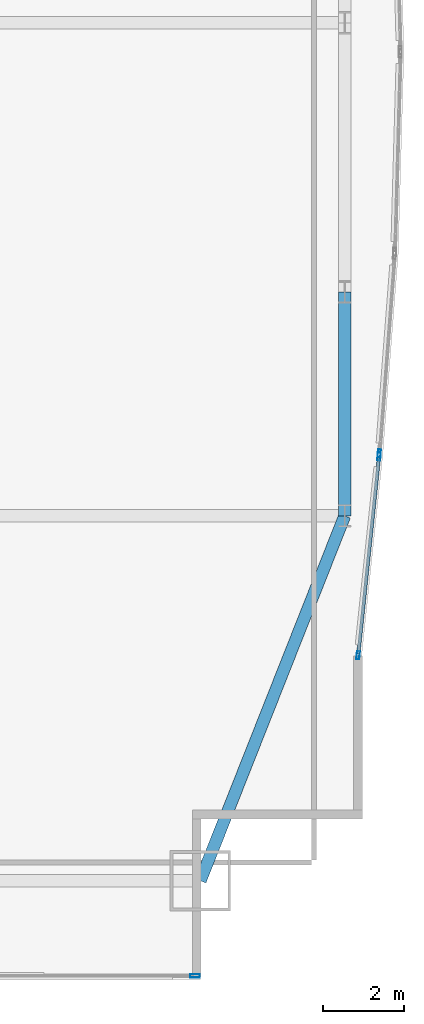
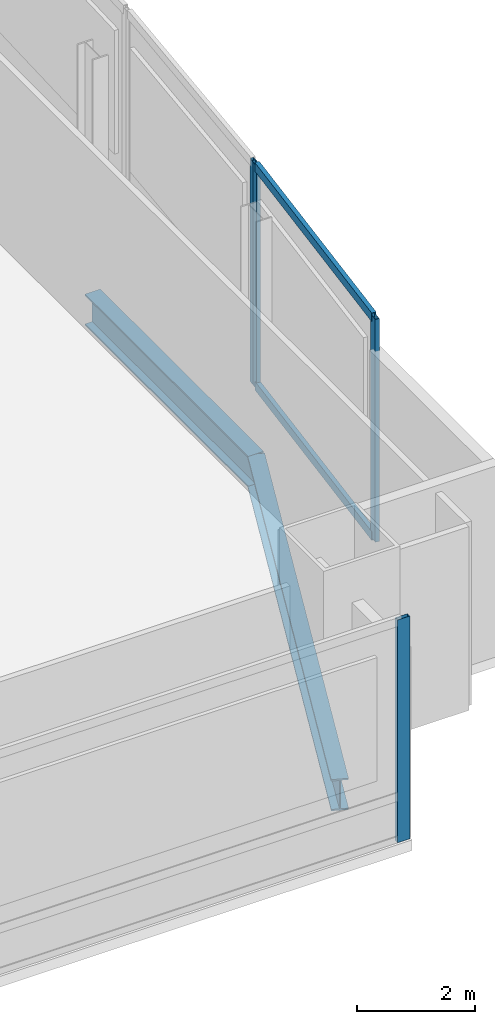
# One storey, part 21 of 32: 6 members, 2 beams, 3 elements without a shape of their own.
"""IFC4 building model written with IfcOpenShell, lengths in metres."""

from ifc_helpers import new_model, si_unit, direction, frame, origin, origin_2d, place, context, subcontext, project, spatial, hollow_rectangle, i_section, extrude, material, material_profile, profile_set, type_object, element, aggregate, save


model = new_model("IFC4")

# Units and contexts
model_context = context("Model", 3, precision=1e-05, world=origin(), true_north=direction((0.0, 1.0)))
body_context = subcontext(model_context, "Body", "Model", "MODEL_VIEW")
ifc_project = project(units=[si_unit("LENGTHUNIT", "METRE"), si_unit("AREAUNIT", "SQUARE_METRE"), si_unit("VOLUMEUNIT", "CUBIC_METRE"), si_unit("PLANEANGLEUNIT", "RADIAN"), si_unit("MASSUNIT", "GRAM", prefix="KILO")], contexts=[model_context])

# Site, building, storey
site_placement = place(None, origin())
site = spatial("IfcSite", under=ifc_project, at=site_placement, CompositionType="ELEMENT")
building_placement = place(site_placement, origin())
building = spatial("IfcBuilding", under=site, at=building_placement, Name="Khoronbel Lancet Exchange", CompositionType="ELEMENT")
storey_placement = place(building_placement, frame((0.0, 0.0, 85.800048828125)))
storey = spatial("IfcBuildingStorey", under=building, at=storey_placement, Name="L20", CompositionType="ELEMENT", Elevation=85.800048828125)

# Beams
ifc_material_1 = material(Name="Steel S355", Category="steel")
ifc_material_profile_1 = material_profile(ifc_material_1, i_section(OverallWidth=0.300048828125, OverallDepth=0.64990234375, WebThickness=0.01611328125, FlangeThickness=0.031005859375, at=origin_2d()), Name="HEB 650")
ifc_profile_set_1 = profile_set([ifc_material_profile_1], Name="Steel S355")
beam_type = type_object("IfcBeamType", Name="BM-BSP1", PredefinedType="SPANDREL", material=ifc_profile_set_1)
beam_1_placement = place(storey_placement, frame((66.050048828125, 10.14990234375, -0.545166015625), z_axis=(0.367828403855, 0.929893684954, 0.0), x_axis=(-0.929893684954, 0.367828403855, 0.0)))
element("IfcBeam", 1, at=beam_1_placement, inside=storey, type_object=beam_type, Name="Level L20 perimeter spandrel beam SP10", PredefinedType="SPANDREL", context=body_context, shape_type="SweptSolid", body=[
    extrude(i_section(OverallWidth=0.300048828125, OverallDepth=0.64990234375, WebThickness=0.01611328125, FlangeThickness=0.031005859375, at=origin_2d()), origin(), (0.0, 0.0, 1.0), 9.732421875),
])
beam_2_placement = place(storey_placement, frame((69.6298828125, 19.199951171875, -0.545166015625), z_axis=(0.0, 1.0, 0.0), x_axis=(-1.0, 0.0, 0.0)))
element("IfcBeam", 2, at=beam_2_placement, inside=storey, type_object=beam_type, Name="Level L20 perimeter spandrel beam SP11", PredefinedType="SPANDREL", context=body_context, shape_type="SweptSolid", body=[
    extrude(i_section(OverallWidth=0.300048828125, OverallDepth=0.64990234375, WebThickness=0.01611328125, FlangeThickness=0.031005859375, at=origin_2d()), origin(), (0.0, 0.0, 1.0), 5.550048828125),
])

# Curtain wall, member
ifc_material_2 = material(Name="Low-E Solar Control Insulating Glass", Category="glass")
curtain_wall_type_1 = type_object("IfcCurtainWallType", Name="CW-2", PredefinedType="NOTDEFINED", material=ifc_material_2)
curtain_wall_1_placement = place(storey_placement, origin())
curtain_wall_1 = element("IfcCurtainWall", 3, at=curtain_wall_1_placement, inside=storey, type_object=curtain_wall_type_1, Name="Unitised curtain wall CW-L20-SEV", PredefinedType="NOTDEFINED")
ifc_material_3 = material(Name="Bronze-Anodised Aluminium 6063-T6", Category="aluminium")
ifc_material_profile_2 = material_profile(ifc_material_3, hollow_rectangle(XDim=0.0849609375, YDim=0.239990234375, WallThickness=0.006103515625, at=origin_2d()), Name="ALU MULLION 85x240")
ifc_profile_set_2 = profile_set([ifc_material_profile_2], Name="Bronze-Anodised Aluminium 6063-T6")
member_type_1 = type_object("IfcMemberType", Name="MEM-CWM1", PredefinedType="MULLION", material=ifc_profile_set_2)
member_1_placement = place(storey_placement, frame((65.91748046875, 7.7900390625, 0.0), z_axis=(0.0, 0.0, 1.0), x_axis=(0.0, 1.0, 0.0)))
member_1 = element("IfcMember", 4, at=member_1_placement, type_object=member_type_1, Name="CW2 mullion 2", PredefinedType="MULLION", context=body_context, shape_type="SweptSolid", body=[
    extrude(hollow_rectangle(XDim=0.0849609375, YDim=0.239990234375, WallThickness=0.006103515625, at=origin_2d()), origin(), (0.0, 0.0, 1.0), 4.619873046875),
])
aggregate(curtain_wall_1, [member_1])

curtain_wall_type_2 = type_object("IfcCurtainWallType", Name="CW-4", PredefinedType="NOTDEFINED", material=ifc_material_2)
curtain_wall_2_placement = place(storey_placement, origin())
curtain_wall_2 = element("IfcCurtainWall", 5, at=curtain_wall_2_placement, inside=storey, type_object=curtain_wall_type_2, Name="Unitised curtain wall CW-L20-E21", PredefinedType="NOTDEFINED")
ifc_material_profile_3 = material_profile(ifc_material_3, hollow_rectangle(XDim=0.074951171875, YDim=0.199951171875, WallThickness=0.0048828125, at=origin_2d()), Name="ALU MULLION 75x200")
ifc_profile_set_3 = profile_set([ifc_material_profile_3], Name="Bronze-Anodised Aluminium 6063-T6")
member_type_2 = type_object("IfcMemberType", Name="MEM-CWM2", PredefinedType="MULLION", material=ifc_profile_set_3)
member_2_placement = place(storey_placement, frame((70.48828125, 20.74560546875, 0.0), z_axis=(0.0, 0.0, 1.0), x_axis=(0.997059882555, -0.076626304874, 0.0)))
member_2 = element("IfcMember", 6, at=member_2_placement, type_object=member_type_2, Name="CW4 mullion 2", PredefinedType="MULLION", context=body_context, shape_type="SweptSolid", body=[
    extrude(hollow_rectangle(XDim=0.074951171875, YDim=0.199951171875, WallThickness=0.0048828125, at=origin_2d()), origin(), (0.0, 0.0, 1.0), 4.619873046875),
])
aggregate(curtain_wall_2, [member_2])

# Curtain wall, members
curtain_wall_3_placement = place(storey_placement, origin())
curtain_wall_3 = element("IfcCurtainWall", 7, at=curtain_wall_3_placement, inside=storey, type_object=curtain_wall_type_2, Name="Unitised curtain wall CW-L20-E22", PredefinedType="NOTDEFINED")
member_3_placement = place(storey_placement, frame((70.4814453125, 20.6708984375, 0.0), z_axis=(0.0, 0.0, 1.0), x_axis=(0.994531779003, -0.104434383958, 0.0)))
member_3 = element("IfcMember", 8, at=member_3_placement, type_object=member_type_2, Name="CW4 mullion 1", PredefinedType="MULLION", context=body_context, shape_type="SweptSolid", body=[
    extrude(hollow_rectangle(XDim=0.074951171875, YDim=0.199951171875, WallThickness=0.0048828125, at=origin_2d()), origin(), (0.0, 0.0, 1.0), 4.619873046875),
])
member_4_placement = place(storey_placement, frame((69.9638671875, 15.741943359375, 0.0), z_axis=(0.0, 0.0, 1.0), x_axis=(0.994531779003, -0.104434383958, 0.0)))
member_4 = element("IfcMember", 9, at=member_4_placement, type_object=member_type_2, Name="CW4 mullion 2", PredefinedType="MULLION", context=body_context, shape_type="SweptSolid", body=[
    extrude(hollow_rectangle(XDim=0.074951171875, YDim=0.199951171875, WallThickness=0.0048828125, at=origin_2d()), origin(), (0.0, 0.0, 1.0), 4.619873046875),
])
ifc_material_profile_4 = material_profile(ifc_material_3, hollow_rectangle(XDim=0.0849609375, YDim=0.179931640625, WallThickness=0.0048828125, at=origin_2d()), Name="ALU TRANSOM 85x180")
ifc_profile_set_4 = profile_set([ifc_material_profile_4], Name="Bronze-Anodised Aluminium 6063-T6")
member_type_3 = type_object("IfcMemberType", Name="MEM-CWT1", PredefinedType="USERDEFINED", material=ifc_profile_set_4)
member_5_placement = place(storey_placement, frame((70.4775390625, 20.633544921875, 0.04248046875), z_axis=(-0.104440030005, -0.994531186104, 0.0), x_axis=(0.994531186104, -0.104440030005, 0.0)))
member_5 = element("IfcMember", 10, at=member_5_placement, type_object=member_type_3, Name="CW4 transom 1.1", ObjectType="TRANSOM", PredefinedType="USERDEFINED", context=body_context, shape_type="SweptSolid", body=[
    extrude(hollow_rectangle(XDim=0.0849609375, YDim=0.179931640625, WallThickness=0.0048828125, at=origin_2d()), origin(), (0.0, 0.0, 1.0), 4.880859375),
])
member_6_placement = place(storey_placement, frame((70.4775390625, 20.633544921875, 4.577392578125), z_axis=(-0.104440030005, -0.994531186104, 0.0), x_axis=(0.994531186104, -0.104440030005, 0.0)))
member_6 = element("IfcMember", 11, at=member_6_placement, type_object=member_type_3, Name="CW4 transom 1.2", ObjectType="TRANSOM", PredefinedType="USERDEFINED", context=body_context, shape_type="SweptSolid", body=[
    extrude(hollow_rectangle(XDim=0.0849609375, YDim=0.179931640625, WallThickness=0.0048828125, at=origin_2d()), origin(), (0.0, 0.0, 1.0), 4.880859375),
])
aggregate(curtain_wall_3, [member_3, member_4, member_5, member_6])

save(model, "model.ifc")
